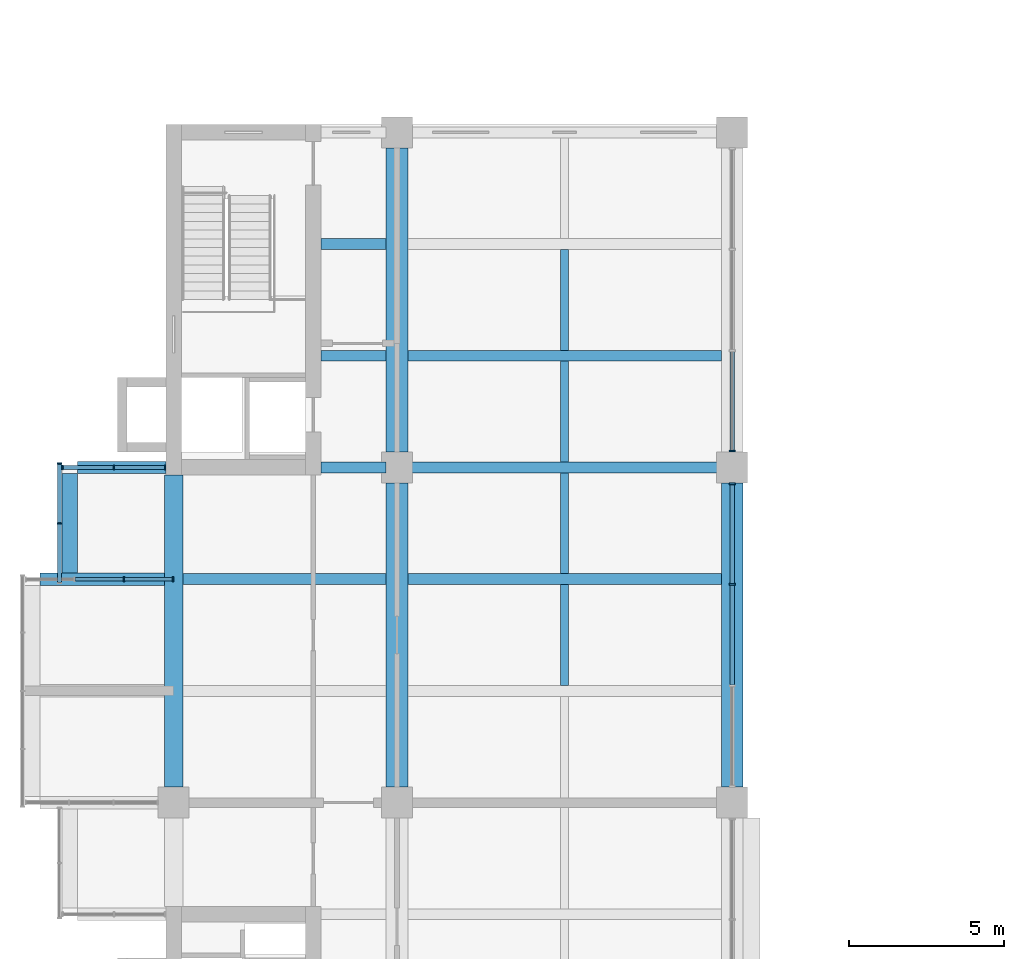
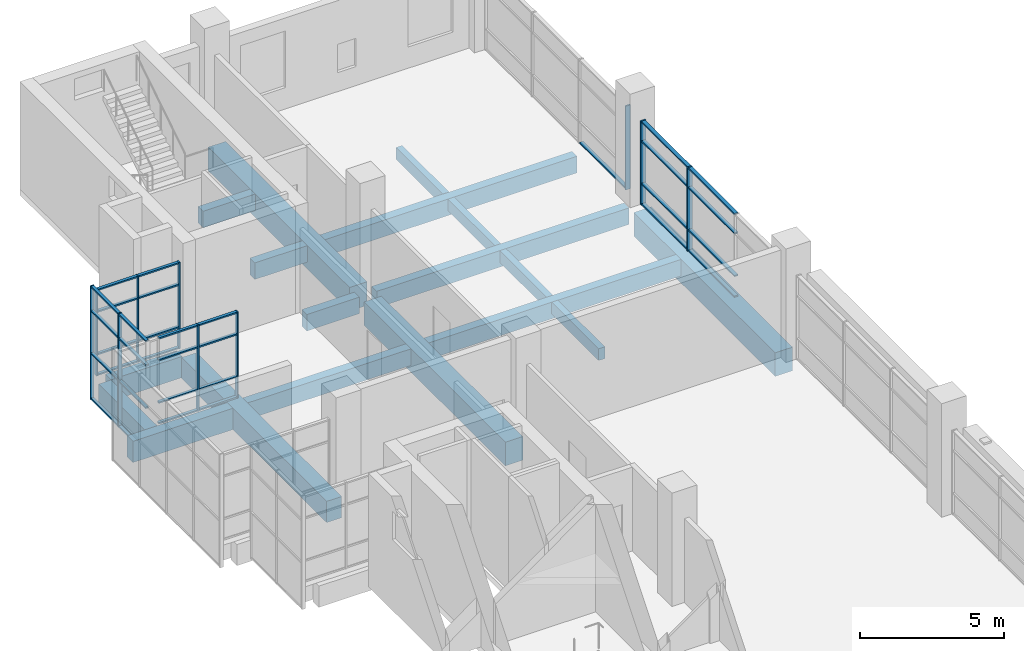
# One storey, part 9 of 44: 43 members, 18 beams, 5 elements without a shape of their own.
"""IFC4 building model written with IfcOpenShell, lengths in metres."""

from ifc_helpers import new_model, si_unit, direction, frame, origin, origin_2d, place, context, subcontext, project, spatial, rectangle, extrude, material, layer, layer_set, material_profile, profile_set, type_object, element, aggregate, save


model = new_model("IFC4")

# Units and contexts
model_context = context("Model", 3, precision=1e-05, world=origin(), true_north=direction((0.0, 1.0)))
body_context = subcontext(model_context, "Body", "Model", "MODEL_VIEW")
ifc_project = project(units=[si_unit("LENGTHUNIT", "METRE"), si_unit("AREAUNIT", "SQUARE_METRE"), si_unit("VOLUMEUNIT", "CUBIC_METRE"), si_unit("PLANEANGLEUNIT", "RADIAN"), si_unit("MASSUNIT", "GRAM", prefix="KILO")], contexts=[model_context])

# Site, building, storey
site_placement = place(None, origin())
site = spatial("IfcSite", under=ifc_project, at=site_placement, CompositionType="ELEMENT")
building_placement = place(site_placement, origin())
building = spatial("IfcBuilding", under=site, at=building_placement, Name="Basin Gate Institute", CompositionType="ELEMENT")
storey_placement = place(building_placement, frame((0.0, 0.0, 27.0)))
storey = spatial("IfcBuildingStorey", under=building, at=storey_placement, Name="L05", CompositionType="ELEMENT", Elevation=27.0)

# Beams
ifc_material_1 = material(Name="Concrete 40 MPa", Category="concrete")
ifc_material_profile_1 = material_profile(ifc_material_1, rectangle(XDim=0.35009765625, YDim=0.699951171875, at=origin_2d()), Name="Beam B1 350 x 700")
ifc_profile_set_1 = profile_set([ifc_material_profile_1], Name="Concrete 40 MPa")
beam_type_1 = type_object("IfcBeamType", Name="Beam B1 R120", PredefinedType="BEAM", material=ifc_profile_set_1)
beam_1_placement = place(storey_placement, frame((68.75, 85.5, -0.60009765625), z_axis=(1.0, 0.0, 0.0), x_axis=(0.0, 1.0, 0.0)))
element("IfcBeam", 1, at=beam_1_placement, inside=storey, type_object=beam_type_1, material=ifc_profile_set_1, Name="BEAM/L05/W/EW/15", PredefinedType="BEAM", context=body_context, shape_type="SweptSolid", body=[
    extrude(rectangle(XDim=0.35009765625, YDim=0.699951171875, at=origin_2d()), origin(), (0.0, 0.0, 1.0), 10.10009765625),
])
beam_2_placement = place(storey_placement, frame((61.5, 85.5, -0.60009765625), z_axis=(1.0, 0.0, 0.0), x_axis=(0.0, 1.0, 0.0)))
element("IfcBeam", 2, at=beam_2_placement, inside=storey, type_object=beam_type_1, material=ifc_profile_set_1, Name="BEAM/L05/W/OUT/15", PredefinedType="BEAM", context=body_context, shape_type="SweptSolid", body=[
    extrude(rectangle(XDim=0.35009765625, YDim=0.699951171875, at=origin_2d()), origin(), (0.0, 0.0, 1.0), 6.550048828125),
])
beam_3_placement = place(storey_placement, frame((68.75, 89.10009765625, -0.60009765625), z_axis=(1.0, 0.0, 0.0), x_axis=(0.0, 1.0, 0.0)))
element("IfcBeam", 3, at=beam_3_placement, inside=storey, type_object=beam_type_1, material=ifc_profile_set_1, Name="BEAM/L05/W/EW/16", PredefinedType="BEAM", context=body_context, shape_type="SweptSolid", body=[
    extrude(rectangle(XDim=0.35009765625, YDim=0.699951171875, at=origin_2d()), origin(), (0.0, 0.0, 1.0), 10.10009765625),
])
beam_4_placement = place(storey_placement, frame((65.949951171875, 89.10009765625, -0.60009765625), z_axis=(1.0, 0.0, 0.0), x_axis=(0.0, 1.0, 0.0)))
element("IfcBeam", 4, at=beam_4_placement, inside=storey, type_object=beam_type_1, material=ifc_profile_set_1, Name="BEAM/L05/W/CORR/16", PredefinedType="BEAM", context=body_context, shape_type="SweptSolid", body=[
    extrude(rectangle(XDim=0.35009765625, YDim=0.699951171875, at=origin_2d()), origin(), (0.0, 0.0, 1.0), 2.10009765625),
])
beam_5_placement = place(storey_placement, frame((68.75, 92.699951171875, -0.60009765625), z_axis=(1.0, 0.0, 0.0), x_axis=(0.0, 1.0, 0.0)))
element("IfcBeam", 5, at=beam_5_placement, inside=storey, type_object=beam_type_1, material=ifc_profile_set_1, Name="BEAM/L05/W/EW/17", PredefinedType="BEAM", context=body_context, shape_type="SweptSolid", body=[
    extrude(rectangle(XDim=0.35009765625, YDim=0.699951171875, at=origin_2d()), origin(), (0.0, 0.0, 1.0), 10.10009765625),
])
for number, where, z_axis, x_axis, name in (
    (6, (65.949951171875, 92.699951171875, -0.60009765625), (1.0, 0.0, 0.0), (0.0, 1.0, 0.0), "BEAM/L05/W/CORR/17"),
    (7, (65.949951171875, 96.300048828125, -0.60009765625), (1.0, 0.0, 0.0), (0.0, 1.0, 0.0), "BEAM/L05/W/CORR/18"),
):
    element("IfcBeam", number, at=place(storey_placement, frame(where, z_axis=z_axis, x_axis=x_axis)), inside=storey, type_object=beam_type_1, material=ifc_profile_set_1, Name=name, PredefinedType="BEAM", context=body_context, shape_type="SweptSolid", body=[
        extrude(rectangle(XDim=0.35009765625, YDim=0.699951171875, at=origin_2d()), origin(), (0.0, 0.0, 1.0), 2.10009765625),
    ])
ifc_material_2 = material(Name="Concrete 50 MPa", Category="concrete")
ifc_material_profile_2 = material_profile(ifc_material_2, rectangle(XDim=0.39990234375, YDim=0.89990234375, at=origin_2d()), Name="Cantilever beam B3 400 x 900")
ifc_profile_set_2 = profile_set([ifc_material_profile_2], Name="Concrete 50 MPa")
beam_type_2 = type_object("IfcBeamType", Name="Cantilever beam B3 R120", PredefinedType="BEAM", material=ifc_profile_set_2)
beam_6_placement = place(storey_placement, frame((56.89990234375, 85.5, -0.699951171875), z_axis=(1.0, 0.0, 0.0), x_axis=(0.0, 1.0, 0.0)))
element("IfcBeam", 8, at=beam_6_placement, inside=storey, type_object=beam_type_2, material=ifc_profile_set_2, Name="BEAM/L05/W/CANT/15", PredefinedType="BEAM", context=body_context, shape_type="SweptSolid", body=[
    extrude(rectangle(XDim=0.39990234375, YDim=0.89990234375, at=origin_2d()), origin(), (0.0, 0.0, 1.0), 4.0),
])
beam_7_placement = place(storey_placement, frame((58.10009765625, 89.10009765625, -0.699951171875), z_axis=(1.0, 0.0, 0.0), x_axis=(0.0, 1.0, 0.0)))
element("IfcBeam", 9, at=beam_7_placement, inside=storey, type_object=beam_type_2, material=ifc_profile_set_2, Name="BEAM/L05/W/CANT/16", PredefinedType="BEAM", context=body_context, shape_type="SweptSolid", body=[
    extrude(rectangle(XDim=0.39990234375, YDim=0.89990234375, at=origin_2d()), origin(), (0.0, 0.0, 1.0), 2.849853515625),
])
ifc_material_3 = material(Name="Concrete 50 MPa", Category="concrete")
ifc_material_profile_3 = material_profile(ifc_material_3, rectangle(XDim=0.60009765625, YDim=0.89990234375, at=origin_2d()), Name="Edge beam EB1 600 x 900")
ifc_profile_set_3 = profile_set([ifc_material_profile_3], Name="Concrete 50 MPa")
beam_type_3 = type_object("IfcBeamType", Name="Edge beam EB1 R120", PredefinedType="SPANDREL", material=ifc_profile_set_3)
beam_8_placement = place(storey_placement, frame((61.199951171875, 78.800048828125, -0.699951171875), z_axis=(0.0, 1.0, 0.0), x_axis=(-1.0, 0.0, 0.0)))
element("IfcBeam", 10, at=beam_8_placement, inside=storey, type_object=beam_type_3, material=ifc_profile_set_3, Name="BEAM/L05/W/EDGE/4", PredefinedType="SPANDREL", context=body_context, shape_type="SweptSolid", body=[
    extrude(rectangle(XDim=0.60009765625, YDim=0.89990234375, at=origin_2d()), origin(), (0.0, 0.0, 1.0), 10.050048828125),
])
ifc_material_4 = material(Name="Concrete 50 MPa", Category="concrete")
ifc_material_profile_4 = material_profile(ifc_material_4, rectangle(XDim=0.699951171875, YDim=1.0, at=origin_2d()), Name="Girder G1 700 x 1000")
ifc_profile_set_4 = profile_set([ifc_material_profile_4], Name="Concrete 50 MPa")
beam_type_4 = type_object("IfcBeamType", Name="Girder G1 R120", PredefinedType="BEAM", material=ifc_profile_set_4)
beam_9_placement = place(storey_placement, frame((68.39990234375, 78.800048828125, -0.75), z_axis=(0.0, 1.0, 0.0), x_axis=(-1.0, 0.0, 0.0)))
element("IfcBeam", 11, at=beam_9_placement, inside=storey, type_object=beam_type_4, material=ifc_profile_set_4, Name="GIR/L05/W5/5", PredefinedType="BEAM", context=body_context, shape_type="SweptSolid", body=[
    extrude(rectangle(XDim=0.699951171875, YDim=1.0, at=origin_2d()), origin(), (0.0, 0.0, 1.0), 9.800048828125),
])
beam_10_placement = place(storey_placement, frame((68.39990234375, 89.60009765625, -0.75), z_axis=(0.0, 1.0, 0.0), x_axis=(-1.0, 0.0, 0.0)))
element("IfcBeam", 12, at=beam_10_placement, inside=storey, type_object=beam_type_4, material=ifc_profile_set_4, Name="GIR/L05/W5/6", PredefinedType="BEAM", context=body_context, shape_type="SweptSolid", body=[
    extrude(rectangle(XDim=0.699951171875, YDim=1.0, at=origin_2d()), origin(), (0.0, 0.0, 1.0), 9.7998046875),
])
beam_11_placement = place(storey_placement, frame((79.199951171875, 78.800048828125, -0.75), z_axis=(0.0, 1.0, 0.0), x_axis=(-1.0, 0.0, 0.0)))
element("IfcBeam", 13, at=beam_11_placement, inside=storey, type_object=beam_type_4, material=ifc_profile_set_4, Name="GIR/L05/W6/5", PredefinedType="BEAM", context=body_context, shape_type="SweptSolid", body=[
    extrude(rectangle(XDim=0.699951171875, YDim=1.0, at=origin_2d()), origin(), (0.0, 0.0, 1.0), 9.800048828125),
])

# Curtain wall, members
ifc_material_5 = material(Name="Aluminium-framed glazing", Category="aluminium")
ifc_layer_1 = layer(ifc_material_5, 0.14990234375)
ifc_layer_set_1 = layer_set([ifc_layer_1], Name="Capsule front curtain wall CW1")
curtain_wall_type_1 = type_object("IfcCurtainWallType", Name="Capsule front curtain wall CW1", PredefinedType="NOTDEFINED", material=ifc_layer_set_1)
curtain_wall_1_placement = place(storey_placement, origin())
curtain_wall_1 = element("IfcCurtainWall", 14, at=curtain_wall_1_placement, inside=storey, type_object=curtain_wall_type_1, material=ifc_layer_set_1, Name="Capsule front curtain wall W wing capsule end L05 line 15", PredefinedType="NOTDEFINED")
ifc_material_6 = material(Name="Aluminium", Category="aluminium")
ifc_material_profile_5 = material_profile(ifc_material_6, rectangle(XDim=0.14990234375, YDim=0.050048828125, at=origin_2d()), Name="Mullion MU1 150 x 50")
ifc_profile_set_5 = profile_set([ifc_material_profile_5], Name="Aluminium")
member_type_1 = type_object("IfcMemberType", Name="Mullion MU1", PredefinedType="MULLION", material=ifc_profile_set_5)
member_1_placement = place(storey_placement, frame((59.60009765625, 85.5, 0.0), z_axis=(0.0, 0.0, 1.0), x_axis=(0.0, 1.0, 0.0)))
member_1 = element("IfcMember", 15, at=member_1_placement, type_object=member_type_1, material=ifc_profile_set_5, Name="CW1 mullion 3", PredefinedType="MULLION", context=body_context, shape_type="SweptSolid", body=[
    extrude(rectangle(XDim=0.14990234375, YDim=0.050048828125, at=origin_2d()), origin(), (0.0, 0.0, 1.0), 3.64990234375),
])
member_2_placement = place(storey_placement, frame((61.175048828125, 85.5, 0.0), z_axis=(0.0, 0.0, 1.0), x_axis=(0.0, 1.0, 0.0)))
member_2 = element("IfcMember", 16, at=member_2_placement, type_object=member_type_1, material=ifc_profile_set_5, Name="CW1 mullion 4", PredefinedType="MULLION", context=body_context, shape_type="SweptSolid", body=[
    extrude(rectangle(XDim=0.14990234375, YDim=0.050048828125, at=origin_2d()), origin(), (0.0, 0.0, 1.0), 3.64990234375),
])

curtain_wall_2_placement = place(storey_placement, origin())
curtain_wall_2 = element("IfcCurtainWall", 17, at=curtain_wall_2_placement, inside=storey, type_object=curtain_wall_type_1, material=ifc_layer_set_1, Name="Capsule front curtain wall W wing capsule end L05 line 16", PredefinedType="NOTDEFINED")
member_3_placement = place(storey_placement, frame((57.625, 89.10009765625, 0.0), z_axis=(0.0, 0.0, 1.0), x_axis=(0.0, 1.0, 0.0)))
member_3 = element("IfcMember", 18, at=member_3_placement, type_object=member_type_1, material=ifc_profile_set_5, Name="CW1 mullion 1", PredefinedType="MULLION", context=body_context, shape_type="SweptSolid", body=[
    extrude(rectangle(XDim=0.14990234375, YDim=0.050048828125, at=origin_2d()), origin(), (0.0, 0.0, 1.0), 3.64990234375),
])
member_4_placement = place(storey_placement, frame((59.27490234375, 89.10009765625, 0.0), z_axis=(0.0, 0.0, 1.0), x_axis=(0.0, 1.0, 0.0)))
member_4 = element("IfcMember", 19, at=member_4_placement, type_object=member_type_1, material=ifc_profile_set_5, Name="CW1 mullion 2", PredefinedType="MULLION", context=body_context, shape_type="SweptSolid", body=[
    extrude(rectangle(XDim=0.14990234375, YDim=0.050048828125, at=origin_2d()), origin(), (0.0, 0.0, 1.0), 3.64990234375),
])
member_5_placement = place(storey_placement, frame((60.925048828125, 89.10009765625, 0.0), z_axis=(0.0, 0.0, 1.0), x_axis=(0.0, 1.0, 0.0)))
member_5 = element("IfcMember", 20, at=member_5_placement, type_object=member_type_1, material=ifc_profile_set_5, Name="CW1 mullion 3", PredefinedType="MULLION", context=body_context, shape_type="SweptSolid", body=[
    extrude(rectangle(XDim=0.14990234375, YDim=0.050048828125, at=origin_2d()), origin(), (0.0, 0.0, 1.0), 3.64990234375),
])

curtain_wall_3_placement = place(storey_placement, origin())
curtain_wall_3 = element("IfcCurtainWall", 21, at=curtain_wall_3_placement, inside=storey, type_object=curtain_wall_type_1, material=ifc_layer_set_1, Name="Capsule front curtain wall W wing capsule 2 L05 front 4", PredefinedType="NOTDEFINED")
member_6_placement = place(storey_placement, frame((57.52490234375, 87.300048828125, -1.050048828125), z_axis=(0.0, 0.0, 1.0), x_axis=(-1.0, 0.0, 0.0)))
member_6 = element("IfcMember", 22, at=member_6_placement, type_object=member_type_1, material=ifc_profile_set_5, Name="CW1 mullion 2", PredefinedType="MULLION", context=body_context, shape_type="SweptSolid", body=[
    extrude(rectangle(XDim=0.14990234375, YDim=0.050048828125, at=origin_2d()), origin(), (0.0, 0.0, 1.0), 4.800048828125),
])
member_7_placement = place(storey_placement, frame((57.52490234375, 89.22509765625, -1.050048828125), z_axis=(0.0, 0.0, 1.0), x_axis=(-1.0, 0.0, 0.0)))
member_7 = element("IfcMember", 23, at=member_7_placement, type_object=member_type_1, material=ifc_profile_set_5, Name="CW1 mullion 3", PredefinedType="MULLION", context=body_context, shape_type="SweptSolid", body=[
    extrude(rectangle(XDim=0.14990234375, YDim=0.050048828125, at=origin_2d()), origin(), (0.0, 0.0, 1.0), 4.800048828125),
])

ifc_material_7 = material(Name="Aluminium-framed glazing", Category="aluminium")
ifc_layer_2 = layer(ifc_material_7, 0.199951171875)
ifc_layer_set_2 = layer_set([ifc_layer_2], Name="Atrium curtain wall CW2")
curtain_wall_type_2 = type_object("IfcCurtainWallType", Name="Atrium curtain wall CW2", PredefinedType="NOTDEFINED", material=ifc_layer_set_2)
curtain_wall_4_placement = place(storey_placement, origin())
curtain_wall_4 = element("IfcCurtainWall", 24, at=curtain_wall_4_placement, inside=storey, type_object=curtain_wall_type_2, material=ifc_layer_set_2, Name="Atrium curtain wall W wing atrium bay 5 L05", PredefinedType="NOTDEFINED")
ifc_material_8 = material(Name="Aluminium", Category="aluminium")
ifc_material_profile_6 = material_profile(ifc_material_8, rectangle(XDim=0.199951171875, YDim=0.06005859375, at=origin_2d()), Name="Mullion MU2 200 x 60")
ifc_profile_set_6 = profile_set([ifc_material_profile_6], Name="Aluminium")
member_type_2 = type_object("IfcMemberType", Name="Mullion MU2", PredefinedType="MULLION", material=ifc_profile_set_6)
member_8_placement = place(storey_placement, frame((79.199951171875, 85.333251953125, 0.0), z_axis=(0.0, 0.0, 1.0), x_axis=(-1.0, 0.0, 0.0)))
member_8 = element("IfcMember", 25, at=member_8_placement, type_object=member_type_2, material=ifc_profile_set_6, Name="CW2 mullion 3", PredefinedType="MULLION", context=body_context, shape_type="SweptSolid", body=[
    extrude(rectangle(XDim=0.199951171875, YDim=0.06005859375, at=origin_2d()), origin(), (0.0, 0.0, 1.0), 3.550048828125),
])
member_9_placement = place(storey_placement, frame((79.199951171875, 88.570068359375, 0.0), z_axis=(0.0, 0.0, 1.0), x_axis=(-1.0, 0.0, 0.0)))
member_9 = element("IfcMember", 26, at=member_9_placement, type_object=member_type_2, material=ifc_profile_set_6, Name="CW2 mullion 4", PredefinedType="MULLION", context=body_context, shape_type="SweptSolid", body=[
    extrude(rectangle(XDim=0.199951171875, YDim=0.06005859375, at=origin_2d()), origin(), (0.0, 0.0, 1.0), 3.550048828125),
])

# Curtain wall, member
curtain_wall_5_placement = place(storey_placement, origin())
curtain_wall_5 = element("IfcCurtainWall", 27, at=curtain_wall_5_placement, inside=storey, type_object=curtain_wall_type_2, material=ifc_layer_set_2, Name="Atrium curtain wall W wing atrium bay 6 L05", PredefinedType="NOTDEFINED")
member_10_placement = place(storey_placement, frame((79.199951171875, 89.6298828125, 0.0), z_axis=(0.0, 0.0, 1.0), x_axis=(-1.0, 0.0, 0.0)))
member_10 = element("IfcMember", 28, at=member_10_placement, type_object=member_type_2, material=ifc_profile_set_6, Name="CW2 mullion 1", PredefinedType="MULLION", context=body_context, shape_type="SweptSolid", body=[
    extrude(rectangle(XDim=0.199951171875, YDim=0.06005859375, at=origin_2d()), origin(), (0.0, 0.0, 1.0), 3.550048828125),
])

# Beams
ifc_material_9 = material(Name="Concrete 40 MPa", Category="concrete")
ifc_material_profile_7 = material_profile(ifc_material_9, rectangle(XDim=0.25, YDim=0.5, at=origin_2d()), Name="Rib R1 250 x 500")
ifc_profile_set_7 = profile_set([ifc_material_profile_7], Name="Concrete 40 MPa")
beam_type_5 = type_object("IfcBeamType", Name="Rib R1 R120", PredefinedType="JOIST", material=ifc_profile_set_7)
for number, where, z_axis, x_axis, name in (
    (29, (73.800048828125, 82.074951171875, -0.5), (0.0, 1.0, 0.0), (-1.0, 0.0, 0.0), "BEAM/L05/W/RIB/14"),
    (30, (73.800048828125, 85.675048828125, -0.5), (0.0, 1.0, 0.0), (-1.0, 0.0, 0.0), "BEAM/L05/W/RIB/15"),
    (31, (73.800048828125, 89.27490234375, -0.5), (0.0, 1.0, 0.0), (-1.0, 0.0, 0.0), "BEAM/L05/W/RIB/16"),
    (32, (73.800048828125, 92.875, -0.5), (0.0, 1.0, 0.0), (-1.0, 0.0, 0.0), "BEAM/L05/W/RIB/17"),
):
    element("IfcBeam", number, at=place(storey_placement, frame(where, z_axis=z_axis, x_axis=x_axis)), inside=storey, type_object=beam_type_5, material=ifc_profile_set_7, Name=name, PredefinedType="JOIST", context=body_context, shape_type="SweptSolid", body=[
        extrude(rectangle(XDim=0.25, YDim=0.5, at=origin_2d()), origin(), (0.0, 0.0, 1.0), 3.25),
    ])
ifc_material_10 = material(Name="Concrete 50 MPa", Category="concrete")
ifc_material_profile_8 = material_profile(ifc_material_10, rectangle(XDim=0.5, YDim=0.800048828125, at=origin_2d()), Name="Tip beam TB1 500 x 800")
ifc_profile_set_8 = profile_set([ifc_material_profile_8], Name="Concrete 50 MPa")
beam_type_6 = type_object("IfcBeamType", Name="Tip beam TB1 R120", PredefinedType="SPANDREL", material=ifc_profile_set_8)
beam_12_placement = place(storey_placement, frame((57.85009765625, 85.699951171875, -0.64990234375), z_axis=(0.0, 1.0, 0.0), x_axis=(-1.0, 0.0, 0.0)))
element("IfcBeam", 33, at=beam_12_placement, inside=storey, type_object=beam_type_6, material=ifc_profile_set_8, Name="BEAM/L05/W/TIP/8", PredefinedType="SPANDREL", context=body_context, shape_type="SweptSolid", body=[
    extrude(rectangle(XDim=0.5, YDim=0.800048828125, at=origin_2d()), origin(), (0.0, 0.0, 1.0), 3.199951171875),
])

# Member
ifc_material_11 = material(Name="Aluminium", Category="aluminium")
ifc_material_profile_9 = material_profile(ifc_material_11, rectangle(XDim=0.1201171875, YDim=0.06005859375, at=origin_2d()), Name="Transom TR1 120 x 60")
ifc_profile_set_9 = profile_set([ifc_material_profile_9], Name="Aluminium")
member_type_3 = type_object("IfcMemberType", Name="Transom TR1", PredefinedType="USERDEFINED", material=ifc_profile_set_9)
member_11_placement = place(storey_placement, frame((58.02490234375, 85.5, 0.030029296875), z_axis=(1.0, 0.0, 0.0), x_axis=(0.0, 1.0, 0.0)))
member_11 = element("IfcMember", 34, at=member_11_placement, type_object=member_type_3, material=ifc_profile_set_9, Name="CW1 transom 2.1", ObjectType="TRANSOM", PredefinedType="USERDEFINED", context=body_context, shape_type="SweptSolid", body=[
    extrude(rectangle(XDim=0.1201171875, YDim=0.06005859375, at=origin_2d()), origin(), (0.0, 0.0, 1.0), 1.550048828125),
])

member_12_placement = place(storey_placement, frame((58.02490234375, 85.5, 0.89990234375), z_axis=(1.0, 0.0, 0.0), x_axis=(0.0, 1.0, 0.0)))
member_12 = element("IfcMember", 35, at=member_12_placement, type_object=member_type_3, material=ifc_profile_set_9, Name="CW1 transom 2.2", ObjectType="TRANSOM", PredefinedType="USERDEFINED", context=body_context, shape_type="SweptSolid", body=[
    extrude(rectangle(XDim=0.1201171875, YDim=0.06005859375, at=origin_2d()), origin(), (0.0, 0.0, 1.0), 1.550048828125),
])

member_13_placement = place(storey_placement, frame((58.02490234375, 85.5, 2.699951171875), z_axis=(1.0, 0.0, 0.0), x_axis=(0.0, 1.0, 0.0)))
member_13 = element("IfcMember", 36, at=member_13_placement, type_object=member_type_3, material=ifc_profile_set_9, Name="CW1 transom 2.3", ObjectType="TRANSOM", PredefinedType="USERDEFINED", context=body_context, shape_type="SweptSolid", body=[
    extrude(rectangle(XDim=0.1201171875, YDim=0.06005859375, at=origin_2d()), origin(), (0.0, 0.0, 1.0), 1.550048828125),
])

member_14_placement = place(storey_placement, frame((58.02490234375, 85.5, 3.6201171875), z_axis=(1.0, 0.0, 0.0), x_axis=(0.0, 1.0, 0.0)))
member_14 = element("IfcMember", 37, at=member_14_placement, type_object=member_type_3, material=ifc_profile_set_9, Name="CW1 transom 2.4", ObjectType="TRANSOM", PredefinedType="USERDEFINED", context=body_context, shape_type="SweptSolid", body=[
    extrude(rectangle(XDim=0.1201171875, YDim=0.06005859375, at=origin_2d()), origin(), (0.0, 0.0, 1.0), 1.550048828125),
])

member_15_placement = place(storey_placement, frame((59.625, 85.5, 0.030029296875), z_axis=(1.0, 0.0, 0.0), x_axis=(0.0, 1.0, 0.0)))
member_15 = element("IfcMember", 38, at=member_15_placement, type_object=member_type_3, material=ifc_profile_set_9, Name="CW1 transom 3.1", ObjectType="TRANSOM", PredefinedType="USERDEFINED", context=body_context, shape_type="SweptSolid", body=[
    extrude(rectangle(XDim=0.1201171875, YDim=0.06005859375, at=origin_2d()), origin(), (0.0, 0.0, 1.0), 1.52490234375),
])

member_16_placement = place(storey_placement, frame((59.625, 85.5, 0.89990234375), z_axis=(1.0, 0.0, 0.0), x_axis=(0.0, 1.0, 0.0)))
member_16 = element("IfcMember", 39, at=member_16_placement, type_object=member_type_3, material=ifc_profile_set_9, Name="CW1 transom 3.2", ObjectType="TRANSOM", PredefinedType="USERDEFINED", context=body_context, shape_type="SweptSolid", body=[
    extrude(rectangle(XDim=0.1201171875, YDim=0.06005859375, at=origin_2d()), origin(), (0.0, 0.0, 1.0), 1.52490234375),
])

member_17_placement = place(storey_placement, frame((59.625, 85.5, 2.699951171875), z_axis=(1.0, 0.0, 0.0), x_axis=(0.0, 1.0, 0.0)))
member_17 = element("IfcMember", 40, at=member_17_placement, type_object=member_type_3, material=ifc_profile_set_9, Name="CW1 transom 3.3", ObjectType="TRANSOM", PredefinedType="USERDEFINED", context=body_context, shape_type="SweptSolid", body=[
    extrude(rectangle(XDim=0.1201171875, YDim=0.06005859375, at=origin_2d()), origin(), (0.0, 0.0, 1.0), 1.52490234375),
])

member_18_placement = place(storey_placement, frame((59.625, 85.5, 3.6201171875), z_axis=(1.0, 0.0, 0.0), x_axis=(0.0, 1.0, 0.0)))
member_18 = element("IfcMember", 41, at=member_18_placement, type_object=member_type_3, material=ifc_profile_set_9, Name="CW1 transom 3.4", ObjectType="TRANSOM", PredefinedType="USERDEFINED", context=body_context, shape_type="SweptSolid", body=[
    extrude(rectangle(XDim=0.1201171875, YDim=0.06005859375, at=origin_2d()), origin(), (0.0, 0.0, 1.0), 1.52490234375),
])

aggregate(curtain_wall_1, [member_1, member_2, member_11, member_12, member_13, member_14, member_15, member_16, member_17, member_18])

member_19_placement = place(storey_placement, frame((57.64990234375, 89.10009765625, 0.030029296875), z_axis=(1.0, 0.0, 0.0), x_axis=(0.0, 1.0, 0.0)))
member_19 = element("IfcMember", 42, at=member_19_placement, type_object=member_type_3, material=ifc_profile_set_9, Name="CW1 transom 1.1", ObjectType="TRANSOM", PredefinedType="USERDEFINED", context=body_context, shape_type="SweptSolid", body=[
    extrude(rectangle(XDim=0.1201171875, YDim=0.06005859375, at=origin_2d()), origin(), (0.0, 0.0, 1.0), 1.60009765625),
])

member_20_placement = place(storey_placement, frame((57.64990234375, 89.10009765625, 0.89990234375), z_axis=(1.0, 0.0, 0.0), x_axis=(0.0, 1.0, 0.0)))
member_20 = element("IfcMember", 43, at=member_20_placement, type_object=member_type_3, material=ifc_profile_set_9, Name="CW1 transom 1.2", ObjectType="TRANSOM", PredefinedType="USERDEFINED", context=body_context, shape_type="SweptSolid", body=[
    extrude(rectangle(XDim=0.1201171875, YDim=0.06005859375, at=origin_2d()), origin(), (0.0, 0.0, 1.0), 1.60009765625),
])

member_21_placement = place(storey_placement, frame((57.64990234375, 89.10009765625, 2.699951171875), z_axis=(1.0, 0.0, 0.0), x_axis=(0.0, 1.0, 0.0)))
member_21 = element("IfcMember", 44, at=member_21_placement, type_object=member_type_3, material=ifc_profile_set_9, Name="CW1 transom 1.3", ObjectType="TRANSOM", PredefinedType="USERDEFINED", context=body_context, shape_type="SweptSolid", body=[
    extrude(rectangle(XDim=0.1201171875, YDim=0.06005859375, at=origin_2d()), origin(), (0.0, 0.0, 1.0), 1.60009765625),
])

member_22_placement = place(storey_placement, frame((57.64990234375, 89.10009765625, 3.6201171875), z_axis=(1.0, 0.0, 0.0), x_axis=(0.0, 1.0, 0.0)))
member_22 = element("IfcMember", 45, at=member_22_placement, type_object=member_type_3, material=ifc_profile_set_9, Name="CW1 transom 1.4", ObjectType="TRANSOM", PredefinedType="USERDEFINED", context=body_context, shape_type="SweptSolid", body=[
    extrude(rectangle(XDim=0.1201171875, YDim=0.06005859375, at=origin_2d()), origin(), (0.0, 0.0, 1.0), 1.60009765625),
])

member_23_placement = place(storey_placement, frame((59.300048828125, 89.10009765625, 0.030029296875), z_axis=(1.0, 0.0, 0.0), x_axis=(0.0, 1.0, 0.0)))
member_23 = element("IfcMember", 46, at=member_23_placement, type_object=member_type_3, material=ifc_profile_set_9, Name="CW1 transom 2.1", ObjectType="TRANSOM", PredefinedType="USERDEFINED", context=body_context, shape_type="SweptSolid", body=[
    extrude(rectangle(XDim=0.1201171875, YDim=0.06005859375, at=origin_2d()), origin(), (0.0, 0.0, 1.0), 1.599853515625),
])

member_24_placement = place(storey_placement, frame((59.300048828125, 89.10009765625, 0.89990234375), z_axis=(1.0, 0.0, 0.0), x_axis=(0.0, 1.0, 0.0)))
member_24 = element("IfcMember", 47, at=member_24_placement, type_object=member_type_3, material=ifc_profile_set_9, Name="CW1 transom 2.2", ObjectType="TRANSOM", PredefinedType="USERDEFINED", context=body_context, shape_type="SweptSolid", body=[
    extrude(rectangle(XDim=0.1201171875, YDim=0.06005859375, at=origin_2d()), origin(), (0.0, 0.0, 1.0), 1.599853515625),
])

member_25_placement = place(storey_placement, frame((59.300048828125, 89.10009765625, 2.699951171875), z_axis=(1.0, 0.0, 0.0), x_axis=(0.0, 1.0, 0.0)))
member_25 = element("IfcMember", 48, at=member_25_placement, type_object=member_type_3, material=ifc_profile_set_9, Name="CW1 transom 2.3", ObjectType="TRANSOM", PredefinedType="USERDEFINED", context=body_context, shape_type="SweptSolid", body=[
    extrude(rectangle(XDim=0.1201171875, YDim=0.06005859375, at=origin_2d()), origin(), (0.0, 0.0, 1.0), 1.599853515625),
])

member_26_placement = place(storey_placement, frame((59.300048828125, 89.10009765625, 3.6201171875), z_axis=(1.0, 0.0, 0.0), x_axis=(0.0, 1.0, 0.0)))
member_26 = element("IfcMember", 49, at=member_26_placement, type_object=member_type_3, material=ifc_profile_set_9, Name="CW1 transom 2.4", ObjectType="TRANSOM", PredefinedType="USERDEFINED", context=body_context, shape_type="SweptSolid", body=[
    extrude(rectangle(XDim=0.1201171875, YDim=0.06005859375, at=origin_2d()), origin(), (0.0, 0.0, 1.0), 1.599853515625),
])

aggregate(curtain_wall_2, [member_3, member_4, member_5, member_19, member_20, member_21, member_22, member_23, member_24, member_25, member_26])

member_27_placement = place(storey_placement, frame((57.52490234375, 85.39990234375, -1.02001953125), z_axis=(0.0, 1.0, 0.0), x_axis=(-1.0, 0.0, 0.0)))
member_27 = element("IfcMember", 50, at=member_27_placement, type_object=member_type_3, material=ifc_profile_set_9, Name="CW1 transom 1.1", ObjectType="TRANSOM", PredefinedType="USERDEFINED", context=body_context, shape_type="SweptSolid", body=[
    extrude(rectangle(XDim=0.1201171875, YDim=0.06005859375, at=origin_2d()), origin(), (0.0, 0.0, 1.0), 1.875),
])

member_28_placement = place(storey_placement, frame((57.52490234375, 85.39990234375, 0.89990234375), z_axis=(0.0, 1.0, 0.0), x_axis=(-1.0, 0.0, 0.0)))
member_28 = element("IfcMember", 51, at=member_28_placement, type_object=member_type_3, material=ifc_profile_set_9, Name="CW1 transom 1.2", ObjectType="TRANSOM", PredefinedType="USERDEFINED", context=body_context, shape_type="SweptSolid", body=[
    extrude(rectangle(XDim=0.1201171875, YDim=0.06005859375, at=origin_2d()), origin(), (0.0, 0.0, 1.0), 1.875),
])

member_29_placement = place(storey_placement, frame((57.52490234375, 85.39990234375, 2.699951171875), z_axis=(0.0, 1.0, 0.0), x_axis=(-1.0, 0.0, 0.0)))
member_29 = element("IfcMember", 52, at=member_29_placement, type_object=member_type_3, material=ifc_profile_set_9, Name="CW1 transom 1.3", ObjectType="TRANSOM", PredefinedType="USERDEFINED", context=body_context, shape_type="SweptSolid", body=[
    extrude(rectangle(XDim=0.1201171875, YDim=0.06005859375, at=origin_2d()), origin(), (0.0, 0.0, 1.0), 1.875),
])

member_30_placement = place(storey_placement, frame((57.52490234375, 85.39990234375, 3.719970703125), z_axis=(0.0, 1.0, 0.0), x_axis=(-1.0, 0.0, 0.0)))
member_30 = element("IfcMember", 53, at=member_30_placement, type_object=member_type_3, material=ifc_profile_set_9, Name="CW1 transom 1.4", ObjectType="TRANSOM", PredefinedType="USERDEFINED", context=body_context, shape_type="SweptSolid", body=[
    extrude(rectangle(XDim=0.1201171875, YDim=0.06005859375, at=origin_2d()), origin(), (0.0, 0.0, 1.0), 1.875),
])

member_31_placement = place(storey_placement, frame((57.52490234375, 87.324951171875, -1.02001953125), z_axis=(0.0, 1.0, 0.0), x_axis=(-1.0, 0.0, 0.0)))
member_31 = element("IfcMember", 54, at=member_31_placement, type_object=member_type_3, material=ifc_profile_set_9, Name="CW1 transom 2.1", ObjectType="TRANSOM", PredefinedType="USERDEFINED", context=body_context, shape_type="SweptSolid", body=[
    extrude(rectangle(XDim=0.1201171875, YDim=0.06005859375, at=origin_2d()), origin(), (0.0, 0.0, 1.0), 1.875),
])

member_32_placement = place(storey_placement, frame((57.52490234375, 87.324951171875, 0.89990234375), z_axis=(0.0, 1.0, 0.0), x_axis=(-1.0, 0.0, 0.0)))
member_32 = element("IfcMember", 55, at=member_32_placement, type_object=member_type_3, material=ifc_profile_set_9, Name="CW1 transom 2.2", ObjectType="TRANSOM", PredefinedType="USERDEFINED", context=body_context, shape_type="SweptSolid", body=[
    extrude(rectangle(XDim=0.1201171875, YDim=0.06005859375, at=origin_2d()), origin(), (0.0, 0.0, 1.0), 1.875),
])

member_33_placement = place(storey_placement, frame((57.52490234375, 87.324951171875, 2.699951171875), z_axis=(0.0, 1.0, 0.0), x_axis=(-1.0, 0.0, 0.0)))
member_33 = element("IfcMember", 56, at=member_33_placement, type_object=member_type_3, material=ifc_profile_set_9, Name="CW1 transom 2.3", ObjectType="TRANSOM", PredefinedType="USERDEFINED", context=body_context, shape_type="SweptSolid", body=[
    extrude(rectangle(XDim=0.1201171875, YDim=0.06005859375, at=origin_2d()), origin(), (0.0, 0.0, 1.0), 1.875),
])

member_34_placement = place(storey_placement, frame((57.52490234375, 87.324951171875, 3.719970703125), z_axis=(0.0, 1.0, 0.0), x_axis=(-1.0, 0.0, 0.0)))
member_34 = element("IfcMember", 57, at=member_34_placement, type_object=member_type_3, material=ifc_profile_set_9, Name="CW1 transom 2.4", ObjectType="TRANSOM", PredefinedType="USERDEFINED", context=body_context, shape_type="SweptSolid", body=[
    extrude(rectangle(XDim=0.1201171875, YDim=0.06005859375, at=origin_2d()), origin(), (0.0, 0.0, 1.0), 1.875),
])

aggregate(curtain_wall_3, [member_6, member_7, member_27, member_28, member_29, member_30, member_31, member_32, member_33, member_34])

ifc_material_12 = material(Name="Aluminium", Category="aluminium")
ifc_material_profile_10 = material_profile(ifc_material_12, rectangle(XDim=0.14990234375, YDim=0.06005859375, at=origin_2d()), Name="Transom TR2 150 x 60")
ifc_profile_set_10 = profile_set([ifc_material_profile_10], Name="Aluminium")
member_type_4 = type_object("IfcMemberType", Name="Transom TR2", PredefinedType="USERDEFINED", material=ifc_profile_set_10)
member_35_placement = place(storey_placement, frame((79.199951171875, 82.0966796875, 0.030029296875), z_axis=(0.0, 1.0, 0.0), x_axis=(-1.0, 0.0, 0.0)))
member_35 = element("IfcMember", 58, at=member_35_placement, type_object=member_type_4, material=ifc_profile_set_10, Name="CW2 transom 2.1", ObjectType="TRANSOM", PredefinedType="USERDEFINED", context=body_context, shape_type="SweptSolid", body=[
    extrude(rectangle(XDim=0.14990234375, YDim=0.06005859375, at=origin_2d()), origin(), (0.0, 0.0, 1.0), 3.20654296875),
])

member_36_placement = place(storey_placement, frame((79.199951171875, 82.0966796875, 0.89990234375), z_axis=(0.0, 1.0, 0.0), x_axis=(-1.0, 0.0, 0.0)))
member_36 = element("IfcMember", 59, at=member_36_placement, type_object=member_type_4, material=ifc_profile_set_10, Name="CW2 transom 2.2", ObjectType="TRANSOM", PredefinedType="USERDEFINED", context=body_context, shape_type="SweptSolid", body=[
    extrude(rectangle(XDim=0.14990234375, YDim=0.06005859375, at=origin_2d()), origin(), (0.0, 0.0, 1.0), 3.20654296875),
])

member_37_placement = place(storey_placement, frame((79.199951171875, 82.0966796875, 2.699951171875), z_axis=(0.0, 1.0, 0.0), x_axis=(-1.0, 0.0, 0.0)))
member_37 = element("IfcMember", 60, at=member_37_placement, type_object=member_type_4, material=ifc_profile_set_10, Name="CW2 transom 2.3", ObjectType="TRANSOM", PredefinedType="USERDEFINED", context=body_context, shape_type="SweptSolid", body=[
    extrude(rectangle(XDim=0.14990234375, YDim=0.06005859375, at=origin_2d()), origin(), (0.0, 0.0, 1.0), 3.20654296875),
])

member_38_placement = place(storey_placement, frame((79.199951171875, 82.0966796875, 3.52001953125), z_axis=(0.0, 1.0, 0.0), x_axis=(-1.0, 0.0, 0.0)))
member_38 = element("IfcMember", 61, at=member_38_placement, type_object=member_type_4, material=ifc_profile_set_10, Name="CW2 transom 2.4", ObjectType="TRANSOM", PredefinedType="USERDEFINED", context=body_context, shape_type="SweptSolid", body=[
    extrude(rectangle(XDim=0.14990234375, YDim=0.06005859375, at=origin_2d()), origin(), (0.0, 0.0, 1.0), 3.20654296875),
])

member_39_placement = place(storey_placement, frame((79.199951171875, 85.36328125, 0.030029296875), z_axis=(0.0, 1.0, 0.0), x_axis=(-1.0, 0.0, 0.0)))
member_39 = element("IfcMember", 62, at=member_39_placement, type_object=member_type_4, material=ifc_profile_set_10, Name="CW2 transom 3.1", ObjectType="TRANSOM", PredefinedType="USERDEFINED", context=body_context, shape_type="SweptSolid", body=[
    extrude(rectangle(XDim=0.14990234375, YDim=0.06005859375, at=origin_2d()), origin(), (0.0, 0.0, 1.0), 3.1767578125),
])

member_40_placement = place(storey_placement, frame((79.199951171875, 85.36328125, 0.89990234375), z_axis=(0.0, 1.0, 0.0), x_axis=(-1.0, 0.0, 0.0)))
member_40 = element("IfcMember", 63, at=member_40_placement, type_object=member_type_4, material=ifc_profile_set_10, Name="CW2 transom 3.2", ObjectType="TRANSOM", PredefinedType="USERDEFINED", context=body_context, shape_type="SweptSolid", body=[
    extrude(rectangle(XDim=0.14990234375, YDim=0.06005859375, at=origin_2d()), origin(), (0.0, 0.0, 1.0), 3.1767578125),
])

member_41_placement = place(storey_placement, frame((79.199951171875, 85.36328125, 2.699951171875), z_axis=(0.0, 1.0, 0.0), x_axis=(-1.0, 0.0, 0.0)))
member_41 = element("IfcMember", 64, at=member_41_placement, type_object=member_type_4, material=ifc_profile_set_10, Name="CW2 transom 3.3", ObjectType="TRANSOM", PredefinedType="USERDEFINED", context=body_context, shape_type="SweptSolid", body=[
    extrude(rectangle(XDim=0.14990234375, YDim=0.06005859375, at=origin_2d()), origin(), (0.0, 0.0, 1.0), 3.1767578125),
])

member_42_placement = place(storey_placement, frame((79.199951171875, 85.36328125, 3.52001953125), z_axis=(0.0, 1.0, 0.0), x_axis=(-1.0, 0.0, 0.0)))
member_42 = element("IfcMember", 65, at=member_42_placement, type_object=member_type_4, material=ifc_profile_set_10, Name="CW2 transom 3.4", ObjectType="TRANSOM", PredefinedType="USERDEFINED", context=body_context, shape_type="SweptSolid", body=[
    extrude(rectangle(XDim=0.14990234375, YDim=0.06005859375, at=origin_2d()), origin(), (0.0, 0.0, 1.0), 3.1767578125),
])

aggregate(curtain_wall_4, [member_8, member_9, member_35, member_36, member_37, member_38, member_39, member_40, member_41, member_42])

member_43_placement = place(storey_placement, frame((79.199951171875, 89.659912109375, 0.030029296875), z_axis=(0.0, 1.0, 0.0), x_axis=(-1.0, 0.0, 0.0)))
member_43 = element("IfcMember", 66, at=member_43_placement, type_object=member_type_4, material=ifc_profile_set_10, Name="CW2 transom 1.1", ObjectType="TRANSOM", PredefinedType="USERDEFINED", context=body_context, shape_type="SweptSolid", body=[
    extrude(rectangle(XDim=0.14990234375, YDim=0.06005859375, at=origin_2d()), origin(), (0.0, 0.0, 1.0), 3.1767578125),
])

aggregate(curtain_wall_5, [member_10, member_43])

save(model, "model.ifc")
